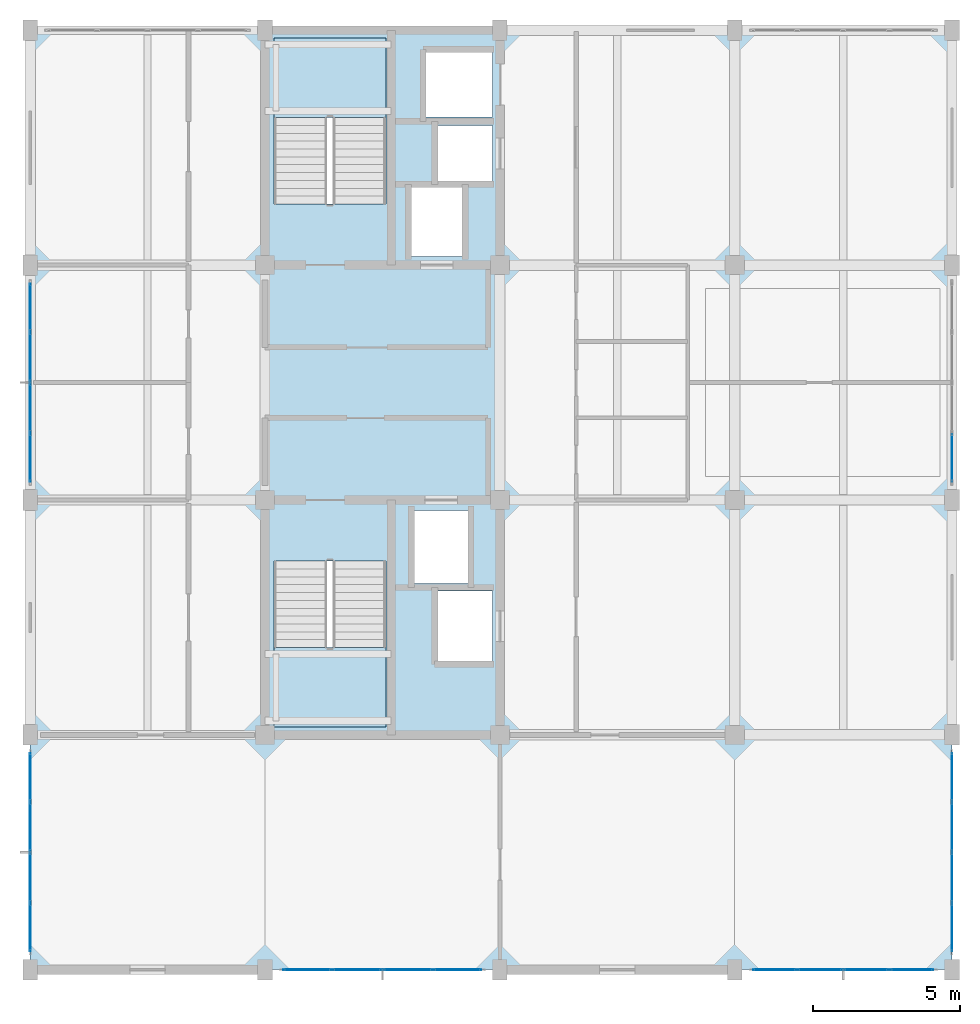
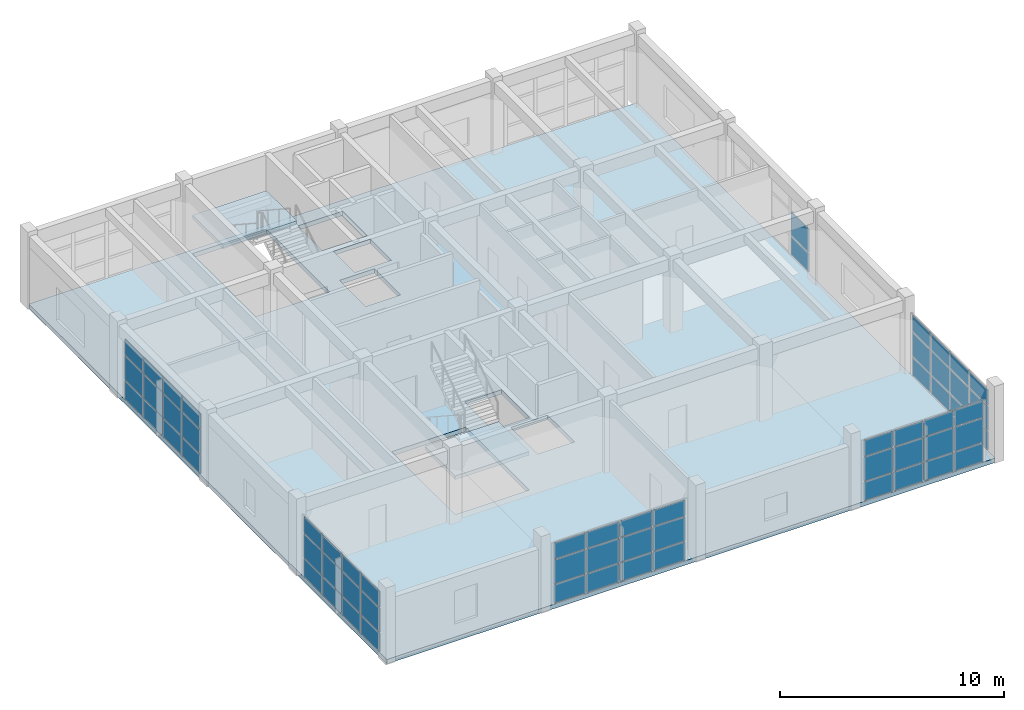
# One storey, part 13 of 18: 62 plates, 3 slabs, 8 elements without a shape of their own.
"""IFC4 building model written with IfcOpenShell, lengths in metres."""

import ifcopenshell
import ifcopenshell.guid

model = None  # the IFC model being written
_history = None  # IfcOwnerHistory: only IFC2X3 demands one
_inside = {}  # id of a spatial element -> (the spatial element, [elements in it])
_under = {}  # id of a project, library or spatial element -> (it, [spatial elements below it])
_declared = {}  # id of a project -> (the project, [libraries it declares])
_typed = {}  # id of a type object -> (the type object, [elements of that type])
_made_of = {}  # id of a material, layer set ... -> (it, [elements and type objects made of it])


def new_model(schema):
    """Start an empty IFC model of exactly this schema.

    Asked for "IFC4X3", IfcOpenShell would pick the latest addendum, in which some entities
    have other attributes; the version numbers below select the first issue.
    IFC2X3 requires an IfcOwnerHistory on every rooted entity: one is made here for all.
    """
    global model, _history
    if schema == "IFC4X3":
        model = ifcopenshell.file(schema_version=(4, 3, 0, 0))
    else:
        model = ifcopenshell.file(schema=schema)
    _inside.clear()
    _under.clear()
    _declared.clear()
    _typed.clear()
    _made_of.clear()
    _history = None
    if model.schema == "IFC2X3":
        org = make("IfcOrganization", Name="unknown")
        user = make(
            "IfcPersonAndOrganization",
            ThePerson=make("IfcPerson", FamilyName="unknown"),
            TheOrganization=org,
        )
        app = make(
            "IfcApplication",
            ApplicationDeveloper=org,
            Version="unknown",
            ApplicationFullName="unknown",
            ApplicationIdentifier="unknown",
        )
        _history = make(
            "IfcOwnerHistory",
            OwningUser=user,
            OwningApplication=app,
            ChangeAction="ADDED",
            CreationDate=0,
        )
    return model


def make(cls, **values):
    """One entity of the class cls with the attributes given. An attribute that is None is left unset."""
    return model.create_entity(
        cls, **{name: value for name, value in values.items() if value is not None}
    )


def rooted(cls, **values):
    """An entity with a GlobalId (a new one), such as an element, a storey or a relation."""
    return make(cls, GlobalId=ifcopenshell.guid.new(), OwnerHistory=_history, **values)


def si_unit(unit_type, name, prefix=None):
    """IfcSIUnit, for example si_unit("LENGTHUNIT", "METRE", prefix="MILLI")."""
    return make("IfcSIUnit", UnitType=unit_type, Prefix=prefix, Name=name)


def assignment(units):
    """IfcUnitAssignment: the units of a project."""
    return None if units is None else make("IfcUnitAssignment", Units=units)


def point(xyz):
    """IfcCartesianPoint."""
    return None if xyz is None else make("IfcCartesianPoint", Coordinates=xyz)


def direction(xyz):
    """IfcDirection."""
    return None if xyz is None else make("IfcDirection", DirectionRatios=xyz)


def frame(location, z_axis=None, x_axis=None):
    """IfcAxis2Placement3D, a coordinate frame: its origin and axes. An axis left out is left unset."""
    return make(
        "IfcAxis2Placement3D",
        Location=point(location),
        Axis=direction(z_axis),
        RefDirection=direction(x_axis),
    )


def frame_2d(location, x_axis=None):
    """IfcAxis2Placement2D, a coordinate frame in the plane: its origin and x axis."""
    return make(
        "IfcAxis2Placement2D", Location=point(location), RefDirection=direction(x_axis)
    )


def origin():
    """The frame at (0, 0, 0) with its axes left unset."""
    return frame((0.0, 0.0, 0.0))


def origin_2d():
    """The frame at (0, 0) in the plane with its x axis left unset."""
    return frame_2d((0.0, 0.0))


def place(relative_to, where):
    """IfcLocalPlacement: puts the frame where relative to a parent placement (None: the world)."""
    return make(
        "IfcLocalPlacement", PlacementRelTo=relative_to, RelativePlacement=where
    )


def context(
    kind, dimensions, precision=None, world=None, true_north=None, identifier=None
):
    """IfcGeometricRepresentationContext, for example the 3D "Model" context."""
    return make(
        "IfcGeometricRepresentationContext",
        ContextIdentifier=identifier,
        ContextType=kind,
        CoordinateSpaceDimension=dimensions,
        Precision=precision,
        WorldCoordinateSystem=world,
        TrueNorth=true_north,
    )


def subcontext(parent, identifier, kind, view, scale=None):
    """IfcGeometricRepresentationSubContext, for example "Body" below "Model"."""
    return make(
        "IfcGeometricRepresentationSubContext",
        ContextIdentifier=identifier,
        ContextType=kind,
        ParentContext=parent,
        TargetScale=scale,
        TargetView=view,
    )


def project(units=None, contexts=None):
    """IfcProject with its units and contexts."""
    return rooted(
        "IfcProject",
        Name="project",
        RepresentationContexts=contexts,
        UnitsInContext=assignment(units),
    )


def spatial(cls, under=None, at=None, **own):
    """A site, building, storey or space (cls), placed at a placement, below another one or the project."""
    s = rooted(cls, ObjectPlacement=at, **own)
    if under is not None:
        _under.setdefault(under.id(), (under, []))[1].append(s)
    return s


def polyline(points):
    """IfcPolyline through the points."""
    return make("IfcPolyline", Points=[point(p) for p in points])


def profile(cls, at=None, kind="AREA", **sizes):
    """A parametric profile (cls). Its sizes go by their IFC names, for example OverallWidth=200.0."""
    return make(cls, ProfileType=kind, Position=at, **sizes)


def rectangle(**sizes):
    """IfcRectangleProfileDef."""
    return profile("IfcRectangleProfileDef", **sizes)


def outline(outer, holes=None, kind="AREA"):
    """IfcArbitraryClosedProfileDef: a profile drawn as a closed curve; with holes, ...WithVoids."""
    if holes is None:
        return make("IfcArbitraryClosedProfileDef", ProfileType=kind, OuterCurve=outer)
    return make(
        "IfcArbitraryProfileDefWithVoids",
        ProfileType=kind,
        OuterCurve=outer,
        InnerCurves=holes,
    )


def extrude(swept, where, along, depth):
    """IfcExtrudedAreaSolid: the profile swept, set in the frame where, extruded along a direction by depth."""
    return make(
        "IfcExtrudedAreaSolid",
        SweptArea=swept,
        Position=where,
        ExtrudedDirection=direction(along),
        Depth=depth,
    )


def shape(context_of_items, identifier, shape_type, items):
    """IfcShapeRepresentation: the items that make up one representation, for example the "Body"."""
    return make(
        "IfcShapeRepresentation",
        ContextOfItems=context_of_items,
        RepresentationIdentifier=identifier,
        RepresentationType=shape_type,
        Items=items,
    )


def material(Name=None, Category=None):
    """IfcMaterial."""
    return make("IfcMaterial", Name=Name, Category=Category)


def layer(
    of_material, thickness, ventilated=None, Name=None, Category=None, Priority=None
):
    """IfcMaterialLayer: one layer of a wall or slab, of a material (None: an air gap)."""
    return make(
        "IfcMaterialLayer",
        Material=of_material,
        LayerThickness=thickness,
        IsVentilated=ventilated,
        Name=Name,
        Category=Category,
        Priority=Priority,
    )


def layer_set(layers, Name=None):
    """IfcMaterialLayerSet."""
    return make("IfcMaterialLayerSet", MaterialLayers=layers, LayerSetName=Name)


def made_of(thing, what):
    """Note that an element or type object is made of a material, layer set ...; save() writes the relation."""
    if what is not None:
        _made_of.setdefault(what.id(), (what, []))[1].append(thing)
    return thing


def type_object(cls, material=None, **own):
    """A type object (cls), such as IfcWallType, which elements share."""
    return made_of(rooted(cls, **own), material)


def element(
    cls,
    number,
    at=None,
    inside=None,
    cuts=None,
    type_object=None,
    material=None,
    context=None,
    identifier="Body",
    shape_type=None,
    held_by="IfcProductDefinitionShape",
    body=None,
    shapes=None,
    **own,
):
    """One element of the class cls, such as IfcWall. Its Tag is "e" and its number.

    at: its placement. inside: the storey or other place that contains it. cuts: it is an
    opening in that element (IfcRelVoidsElement). A single representation is given by context,
    identifier, shape_type and body (its items); several are given by shapes. held_by: the class
    of the entity that holds the representations. save() writes the other relations.
    """
    e = rooted(cls, Tag="e%d" % number, ObjectPlacement=at, **own)
    if body is not None:
        shapes = [shape(context, identifier, shape_type, body)]
    if shapes is not None:
        e.Representation = make(held_by, Representations=shapes)
    if inside is not None:
        _inside.setdefault(inside.id(), (inside, []))[1].append(e)
    if cuts is not None:
        rooted(
            "IfcRelVoidsElement", RelatingBuildingElement=cuts, RelatedOpeningElement=e
        )
    if type_object is not None:
        _typed.setdefault(type_object.id(), (type_object, []))[1].append(e)
    return made_of(e, material)


def aggregate(whole, parts):
    """IfcRelAggregates: a whole, such as a stair, and the parts it consists of."""
    return rooted("IfcRelAggregates", RelatingObject=whole, RelatedObjects=parts)


def save(model, path):
    """Write the relations noted so far, then the file.

    IfcRelAggregates (storeys below a building ...), IfcRelContainedInSpatialStructure (elements
    in a storey), IfcRelDefinesByType, IfcRelAssociatesMaterial and IfcRelDeclares: one each for
    every whole, place, type object, material and project.
    """
    for whole, parts in _under.values():
        aggregate(whole, parts)
    for where, things in _inside.values():
        rooted(
            "IfcRelContainedInSpatialStructure",
            RelatedElements=things,
            RelatingStructure=where,
        )
    for kind, things in _typed.values():
        rooted("IfcRelDefinesByType", RelatedObjects=things, RelatingType=kind)
    for what, things in _made_of.values():
        rooted("IfcRelAssociatesMaterial", RelatedObjects=things, RelatingMaterial=what)
    for by, libraries in _declared.values():
        rooted("IfcRelDeclares", RelatingContext=by, RelatedDefinitions=libraries)
    model.write(path)


model = new_model("IFC4")

# Units and contexts
model_context = context("Model", 3, precision=1e-05, world=origin(), true_north=direction((0.0, 1.0)))
body_context = subcontext(model_context, "Body", "Model", "MODEL_VIEW")
ifc_project = project(units=[si_unit("LENGTHUNIT", "METRE"), si_unit("AREAUNIT", "SQUARE_METRE"), si_unit("VOLUMEUNIT", "CUBIC_METRE"), si_unit("PLANEANGLEUNIT", "RADIAN"), si_unit("MASSUNIT", "GRAM", prefix="KILO")], contexts=[model_context])

# Site, building, storey
site_placement = place(None, origin())
site = spatial("IfcSite", under=ifc_project, at=site_placement, CompositionType="ELEMENT")
building_placement = place(site_placement, origin())
building = spatial("IfcBuilding", under=site, at=building_placement, Name="Canggui Botanical Conservatory", CompositionType="ELEMENT")
storey_placement = place(building_placement, frame((0.0, 0.0, 52.800048828125)))
storey = spatial("IfcBuildingStorey", under=building, at=storey_placement, Name="L13", CompositionType="ELEMENT", Elevation=52.800048828125)

# Curtain wall, plates
ifc_material_1 = material(Name="Thermally Broken Aluminium", Category="aluminium")
ifc_layer_1 = layer(ifc_material_1, 0.179931640625, Name="Thermally Broken Aluminium", Category="aluminium")
ifc_layer_set_1 = layer_set([ifc_layer_1], Name="Thermally Broken Aluminium")
curtain_wall_type = type_object("IfcCurtainWallType", Name="CW-UNIT-A", PredefinedType="USERDEFINED", material=ifc_layer_set_1)
curtain_wall_1_placement = place(storey_placement, origin())
curtain_wall_1 = element("IfcCurtainWall", 1, at=curtain_wall_1_placement, inside=storey, type_object=curtain_wall_type, Name="Facade Curtain Wall CW-TWR-L13-01", ObjectType="UNITISED CURTAIN WALL", PredefinedType="USERDEFINED")
ifc_material_2 = material(Name="Low-E Insulated Glass", Category="glass")
ifc_layer_2 = layer(ifc_material_2, 0.02587890625, Name="Low-E Insulated Glass", Category="glass")
ifc_layer_set_2 = layer_set([ifc_layer_2], Name="Low-E Insulated Glass")
plate_type = type_object("IfcPlateType", Name="CWP-01", PredefinedType="CURTAIN_PANEL", material=ifc_layer_set_2)
plate_1_placement = place(storey_placement, frame((176.03759765625, 34.0, 0.06494140625), z_axis=(0.0, 0.0, 1.0), x_axis=(-1.0, 0.0, 0.0)))
plate_1 = element("IfcPlate", 2, at=plate_1_placement, type_object=plate_type, Name="CW-01 panel 1.1", PredefinedType="CURTAIN_PANEL", context=body_context, shape_type="SweptSolid", body=[
    extrude(rectangle(XDim=1.465087890625, YDim=0.02587890625, at=origin_2d()), origin(), (0.0, 0.0, 1.0), 0.990478515625),
])
plate_2_placement = place(storey_placement, frame((176.03759765625, 34.0, 1.12060546875), z_axis=(0.0, 0.0, 1.0), x_axis=(-1.0, 0.0, 0.0)))
plate_2 = element("IfcPlate", 3, at=plate_2_placement, type_object=plate_type, Name="CW-01 panel 1.2", PredefinedType="CURTAIN_PANEL", context=body_context, shape_type="SweptSolid", body=[
    extrude(rectangle(XDim=1.465087890625, YDim=0.02587890625, at=origin_2d()), origin(), (0.0, 0.0, 1.0), 1.294921875),
])
plate_3_placement = place(storey_placement, frame((176.03759765625, 34.0, 2.48046875), z_axis=(0.0, 0.0, 1.0), x_axis=(-1.0, 0.0, 0.0)))
plate_3 = element("IfcPlate", 4, at=plate_3_placement, type_object=plate_type, Name="CW-01 panel 1.3", PredefinedType="CURTAIN_PANEL", context=body_context, shape_type="SweptSolid", body=[
    extrude(rectangle(XDim=1.465087890625, YDim=0.02587890625, at=origin_2d()), origin(), (0.0, 0.0, 1.0), 0.8544921875),
])
plate_4_placement = place(storey_placement, frame((174.485107421875, 34.0, 0.06494140625), z_axis=(0.0, 0.0, 1.0), x_axis=(-1.0, 0.0, 0.0)))
plate_4 = element("IfcPlate", 5, at=plate_4_placement, type_object=plate_type, Name="CW-01 panel 2.1", PredefinedType="CURTAIN_PANEL", context=body_context, shape_type="SweptSolid", body=[
    extrude(rectangle(XDim=1.5, YDim=0.02587890625, at=origin_2d()), origin(), (0.0, 0.0, 1.0), 0.990478515625),
])
plate_5_placement = place(storey_placement, frame((174.485107421875, 34.0, 1.12060546875), z_axis=(0.0, 0.0, 1.0), x_axis=(-1.0, 0.0, 0.0)))
plate_5 = element("IfcPlate", 6, at=plate_5_placement, type_object=plate_type, Name="CW-01 panel 2.2", PredefinedType="CURTAIN_PANEL", context=body_context, shape_type="SweptSolid", body=[
    extrude(rectangle(XDim=1.5, YDim=0.02587890625, at=origin_2d()), origin(), (0.0, 0.0, 1.0), 1.294921875),
])
plate_6_placement = place(storey_placement, frame((174.485107421875, 34.0, 2.48046875), z_axis=(0.0, 0.0, 1.0), x_axis=(-1.0, 0.0, 0.0)))
plate_6 = element("IfcPlate", 7, at=plate_6_placement, type_object=plate_type, Name="CW-01 panel 2.3", PredefinedType="CURTAIN_PANEL", context=body_context, shape_type="SweptSolid", body=[
    extrude(rectangle(XDim=1.5, YDim=0.02587890625, at=origin_2d()), origin(), (0.0, 0.0, 1.0), 0.8544921875),
])
plate_7_placement = place(storey_placement, frame((172.9150390625, 34.0, 0.06494140625), z_axis=(0.0, 0.0, 1.0), x_axis=(-1.0, 0.0, 0.0)))
plate_7 = element("IfcPlate", 8, at=plate_7_placement, type_object=plate_type, Name="CW-01 panel 3.1", PredefinedType="CURTAIN_PANEL", context=body_context, shape_type="SweptSolid", body=[
    extrude(rectangle(XDim=1.5, YDim=0.02587890625, at=origin_2d()), origin(), (0.0, 0.0, 1.0), 0.990478515625),
])
plate_8_placement = place(storey_placement, frame((172.9150390625, 34.0, 1.12060546875), z_axis=(0.0, 0.0, 1.0), x_axis=(-1.0, 0.0, 0.0)))
plate_8 = element("IfcPlate", 9, at=plate_8_placement, type_object=plate_type, Name="CW-01 panel 3.2", PredefinedType="CURTAIN_PANEL", context=body_context, shape_type="SweptSolid", body=[
    extrude(rectangle(XDim=1.5, YDim=0.02587890625, at=origin_2d()), origin(), (0.0, 0.0, 1.0), 1.294921875),
])
plate_9_placement = place(storey_placement, frame((172.9150390625, 34.0, 2.48046875), z_axis=(0.0, 0.0, 1.0), x_axis=(-1.0, 0.0, 0.0)))
plate_9 = element("IfcPlate", 10, at=plate_9_placement, type_object=plate_type, Name="CW-01 panel 3.3", PredefinedType="CURTAIN_PANEL", context=body_context, shape_type="SweptSolid", body=[
    extrude(rectangle(XDim=1.5, YDim=0.02587890625, at=origin_2d()), origin(), (0.0, 0.0, 1.0), 0.8544921875),
])
plate_10_placement = place(storey_placement, frame((171.362548828125, 34.0, 0.06494140625), z_axis=(0.0, 0.0, 1.0), x_axis=(-1.0, 0.0, 0.0)))
plate_10 = element("IfcPlate", 11, at=plate_10_placement, type_object=plate_type, Name="CW-01 panel 4.1", PredefinedType="CURTAIN_PANEL", context=body_context, shape_type="SweptSolid", body=[
    extrude(rectangle(XDim=1.465087890625, YDim=0.02587890625, at=origin_2d()), origin(), (0.0, 0.0, 1.0), 0.990478515625),
])
plate_11_placement = place(storey_placement, frame((171.362548828125, 34.0, 1.12060546875), z_axis=(0.0, 0.0, 1.0), x_axis=(-1.0, 0.0, 0.0)))
plate_11 = element("IfcPlate", 12, at=plate_11_placement, type_object=plate_type, Name="CW-01 panel 4.2", PredefinedType="CURTAIN_PANEL", context=body_context, shape_type="SweptSolid", body=[
    extrude(rectangle(XDim=1.465087890625, YDim=0.02587890625, at=origin_2d()), origin(), (0.0, 0.0, 1.0), 1.294921875),
])
plate_12_placement = place(storey_placement, frame((171.362548828125, 34.0, 2.48046875), z_axis=(0.0, 0.0, 1.0), x_axis=(-1.0, 0.0, 0.0)))
plate_12 = element("IfcPlate", 13, at=plate_12_placement, type_object=plate_type, Name="CW-01 panel 4.3", PredefinedType="CURTAIN_PANEL", context=body_context, shape_type="SweptSolid", body=[
    extrude(rectangle(XDim=1.465087890625, YDim=0.02587890625, at=origin_2d()), origin(), (0.0, 0.0, 1.0), 0.8544921875),
])
aggregate(curtain_wall_1, [plate_1, plate_2, plate_3, plate_4, plate_5, plate_6, plate_7, plate_8, plate_9, plate_10, plate_11, plate_12])

curtain_wall_2_placement = place(storey_placement, origin())
curtain_wall_2 = element("IfcCurtainWall", 14, at=curtain_wall_2_placement, inside=storey, type_object=curtain_wall_type, Name="Facade Curtain Wall CW-TWR-L13-03", ObjectType="UNITISED CURTAIN WALL", PredefinedType="USERDEFINED")
plate_13_placement = place(storey_placement, frame((160.5625, 34.0, 0.06494140625), z_axis=(0.0, 0.0, 1.0), x_axis=(-1.0, 0.0, 0.0)))
plate_13 = element("IfcPlate", 15, at=plate_13_placement, type_object=plate_type, Name="CW-01 panel 1.1", PredefinedType="CURTAIN_PANEL", context=body_context, shape_type="SweptSolid", body=[
    extrude(rectangle(XDim=1.614990234375, YDim=0.02587890625, at=origin_2d()), origin(), (0.0, 0.0, 1.0), 0.990478515625),
])
plate_14_placement = place(storey_placement, frame((160.5625, 34.0, 1.12060546875), z_axis=(0.0, 0.0, 1.0), x_axis=(-1.0, 0.0, 0.0)))
plate_14 = element("IfcPlate", 16, at=plate_14_placement, type_object=plate_type, Name="CW-01 panel 1.2", PredefinedType="CURTAIN_PANEL", context=body_context, shape_type="SweptSolid", body=[
    extrude(rectangle(XDim=1.614990234375, YDim=0.02587890625, at=origin_2d()), origin(), (0.0, 0.0, 1.0), 1.294921875),
])
plate_15_placement = place(storey_placement, frame((160.5625, 34.0, 2.48046875), z_axis=(0.0, 0.0, 1.0), x_axis=(-1.0, 0.0, 0.0)))
plate_15 = element("IfcPlate", 17, at=plate_15_placement, type_object=plate_type, Name="CW-01 panel 1.3", PredefinedType="CURTAIN_PANEL", context=body_context, shape_type="SweptSolid", body=[
    extrude(rectangle(XDim=1.614990234375, YDim=0.02587890625, at=origin_2d()), origin(), (0.0, 0.0, 1.0), 0.8544921875),
])
plate_16_placement = place(storey_placement, frame((158.860107421875, 34.0, 0.06494140625), z_axis=(0.0, 0.0, 1.0), x_axis=(-1.0, 0.0, 0.0)))
plate_16 = element("IfcPlate", 18, at=plate_16_placement, type_object=plate_type, Name="CW-01 panel 2.1", PredefinedType="CURTAIN_PANEL", context=body_context, shape_type="SweptSolid", body=[
    extrude(rectangle(XDim=1.64990234375, YDim=0.02587890625, at=origin_2d()), origin(), (0.0, 0.0, 1.0), 0.990478515625),
])
plate_17_placement = place(storey_placement, frame((158.860107421875, 34.0, 1.12060546875), z_axis=(0.0, 0.0, 1.0), x_axis=(-1.0, 0.0, 0.0)))
plate_17 = element("IfcPlate", 19, at=plate_17_placement, type_object=plate_type, Name="CW-01 panel 2.2", PredefinedType="CURTAIN_PANEL", context=body_context, shape_type="SweptSolid", body=[
    extrude(rectangle(XDim=1.64990234375, YDim=0.02587890625, at=origin_2d()), origin(), (0.0, 0.0, 1.0), 1.294921875),
])
plate_18_placement = place(storey_placement, frame((158.860107421875, 34.0, 2.48046875), z_axis=(0.0, 0.0, 1.0), x_axis=(-1.0, 0.0, 0.0)))
plate_18 = element("IfcPlate", 20, at=plate_18_placement, type_object=plate_type, Name="CW-01 panel 2.3", PredefinedType="CURTAIN_PANEL", context=body_context, shape_type="SweptSolid", body=[
    extrude(rectangle(XDim=1.64990234375, YDim=0.02587890625, at=origin_2d()), origin(), (0.0, 0.0, 1.0), 0.8544921875),
])
plate_19_placement = place(storey_placement, frame((157.139892578125, 34.0, 0.06494140625), z_axis=(0.0, 0.0, 1.0), x_axis=(-1.0, 0.0, 0.0)))
plate_19 = element("IfcPlate", 21, at=plate_19_placement, type_object=plate_type, Name="CW-01 panel 3.1", PredefinedType="CURTAIN_PANEL", context=body_context, shape_type="SweptSolid", body=[
    extrude(rectangle(XDim=1.64990234375, YDim=0.02587890625, at=origin_2d()), origin(), (0.0, 0.0, 1.0), 0.990478515625),
])
plate_20_placement = place(storey_placement, frame((157.139892578125, 34.0, 1.12060546875), z_axis=(0.0, 0.0, 1.0), x_axis=(-1.0, 0.0, 0.0)))
plate_20 = element("IfcPlate", 22, at=plate_20_placement, type_object=plate_type, Name="CW-01 panel 3.2", PredefinedType="CURTAIN_PANEL", context=body_context, shape_type="SweptSolid", body=[
    extrude(rectangle(XDim=1.64990234375, YDim=0.02587890625, at=origin_2d()), origin(), (0.0, 0.0, 1.0), 1.294921875),
])
plate_21_placement = place(storey_placement, frame((157.139892578125, 34.0, 2.48046875), z_axis=(0.0, 0.0, 1.0), x_axis=(-1.0, 0.0, 0.0)))
plate_21 = element("IfcPlate", 23, at=plate_21_placement, type_object=plate_type, Name="CW-01 panel 3.3", PredefinedType="CURTAIN_PANEL", context=body_context, shape_type="SweptSolid", body=[
    extrude(rectangle(XDim=1.64990234375, YDim=0.02587890625, at=origin_2d()), origin(), (0.0, 0.0, 1.0), 0.8544921875),
])
plate_22_placement = place(storey_placement, frame((155.4375, 34.0, 0.06494140625), z_axis=(0.0, 0.0, 1.0), x_axis=(-1.0, 0.0, 0.0)))
plate_22 = element("IfcPlate", 24, at=plate_22_placement, type_object=plate_type, Name="CW-01 panel 4.1", PredefinedType="CURTAIN_PANEL", context=body_context, shape_type="SweptSolid", body=[
    extrude(rectangle(XDim=1.614990234375, YDim=0.02587890625, at=origin_2d()), origin(), (0.0, 0.0, 1.0), 0.990478515625),
])
plate_23_placement = place(storey_placement, frame((155.4375, 34.0, 1.12060546875), z_axis=(0.0, 0.0, 1.0), x_axis=(-1.0, 0.0, 0.0)))
plate_23 = element("IfcPlate", 25, at=plate_23_placement, type_object=plate_type, Name="CW-01 panel 4.2", PredefinedType="CURTAIN_PANEL", context=body_context, shape_type="SweptSolid", body=[
    extrude(rectangle(XDim=1.614990234375, YDim=0.02587890625, at=origin_2d()), origin(), (0.0, 0.0, 1.0), 1.294921875),
])
plate_24_placement = place(storey_placement, frame((155.4375, 34.0, 2.48046875), z_axis=(0.0, 0.0, 1.0), x_axis=(-1.0, 0.0, 0.0)))
plate_24 = element("IfcPlate", 26, at=plate_24_placement, type_object=plate_type, Name="CW-01 panel 4.3", PredefinedType="CURTAIN_PANEL", context=body_context, shape_type="SweptSolid", body=[
    extrude(rectangle(XDim=1.614990234375, YDim=0.02587890625, at=origin_2d()), origin(), (0.0, 0.0, 1.0), 0.8544921875),
])
aggregate(curtain_wall_2, [plate_13, plate_14, plate_15, plate_16, plate_17, plate_18, plate_19, plate_20, plate_21, plate_22, plate_23, plate_24])

curtain_wall_3_placement = place(storey_placement, origin())
curtain_wall_3 = element("IfcCurtainWall", 27, at=curtain_wall_3_placement, inside=storey, type_object=curtain_wall_type, Name="Facade Curtain Wall CW-TWR-L13-05", ObjectType="UNITISED CURTAIN WALL", PredefinedType="USERDEFINED")
plate_25_placement = place(storey_placement, frame((146.0, 35.4375, 0.06494140625), z_axis=(0.0, 0.0, 1.0), x_axis=(0.0, 1.0, 0.0)))
plate_25 = element("IfcPlate", 28, at=plate_25_placement, type_object=plate_type, Name="CW-01 panel 1.1", PredefinedType="CURTAIN_PANEL", context=body_context, shape_type="SweptSolid", body=[
    extrude(rectangle(XDim=1.614990234375, YDim=0.02587890625, at=origin_2d()), origin(), (0.0, 0.0, 1.0), 0.990478515625),
])
plate_26_placement = place(storey_placement, frame((146.0, 35.4375, 1.12060546875), z_axis=(0.0, 0.0, 1.0), x_axis=(0.0, 1.0, 0.0)))
plate_26 = element("IfcPlate", 29, at=plate_26_placement, type_object=plate_type, Name="CW-01 panel 1.2", PredefinedType="CURTAIN_PANEL", context=body_context, shape_type="SweptSolid", body=[
    extrude(rectangle(XDim=1.614990234375, YDim=0.02587890625, at=origin_2d()), origin(), (0.0, 0.0, 1.0), 1.294921875),
])
plate_27_placement = place(storey_placement, frame((146.0, 35.4375, 2.48046875), z_axis=(0.0, 0.0, 1.0), x_axis=(0.0, 1.0, 0.0)))
plate_27 = element("IfcPlate", 30, at=plate_27_placement, type_object=plate_type, Name="CW-01 panel 1.3", PredefinedType="CURTAIN_PANEL", context=body_context, shape_type="SweptSolid", body=[
    extrude(rectangle(XDim=1.614990234375, YDim=0.02587890625, at=origin_2d()), origin(), (0.0, 0.0, 1.0), 0.8544921875),
])
plate_28_placement = place(storey_placement, frame((146.0, 37.139892578125, 0.06494140625), z_axis=(0.0, 0.0, 1.0), x_axis=(0.0, 1.0, 0.0)))
plate_28 = element("IfcPlate", 31, at=plate_28_placement, type_object=plate_type, Name="CW-01 panel 2.1", PredefinedType="CURTAIN_PANEL", context=body_context, shape_type="SweptSolid", body=[
    extrude(rectangle(XDim=1.64990234375, YDim=0.02587890625, at=origin_2d()), origin(), (0.0, 0.0, 1.0), 0.990478515625),
])
plate_29_placement = place(storey_placement, frame((146.0, 37.139892578125, 1.12060546875), z_axis=(0.0, 0.0, 1.0), x_axis=(0.0, 1.0, 0.0)))
plate_29 = element("IfcPlate", 32, at=plate_29_placement, type_object=plate_type, Name="CW-01 panel 2.2", PredefinedType="CURTAIN_PANEL", context=body_context, shape_type="SweptSolid", body=[
    extrude(rectangle(XDim=1.64990234375, YDim=0.02587890625, at=origin_2d()), origin(), (0.0, 0.0, 1.0), 1.294921875),
])
plate_30_placement = place(storey_placement, frame((146.0, 37.139892578125, 2.48046875), z_axis=(0.0, 0.0, 1.0), x_axis=(0.0, 1.0, 0.0)))
plate_30 = element("IfcPlate", 33, at=plate_30_placement, type_object=plate_type, Name="CW-01 panel 2.3", PredefinedType="CURTAIN_PANEL", context=body_context, shape_type="SweptSolid", body=[
    extrude(rectangle(XDim=1.64990234375, YDim=0.02587890625, at=origin_2d()), origin(), (0.0, 0.0, 1.0), 0.8544921875),
])
plate_31_placement = place(storey_placement, frame((146.0, 38.860107421875, 0.06494140625), z_axis=(0.0, 0.0, 1.0), x_axis=(0.0, 1.0, 0.0)))
plate_31 = element("IfcPlate", 34, at=plate_31_placement, type_object=plate_type, Name="CW-01 panel 3.1", PredefinedType="CURTAIN_PANEL", context=body_context, shape_type="SweptSolid", body=[
    extrude(rectangle(XDim=1.64990234375, YDim=0.02587890625, at=origin_2d()), origin(), (0.0, 0.0, 1.0), 0.990478515625),
])
plate_32_placement = place(storey_placement, frame((146.0, 38.860107421875, 1.12060546875), z_axis=(0.0, 0.0, 1.0), x_axis=(0.0, 1.0, 0.0)))
plate_32 = element("IfcPlate", 35, at=plate_32_placement, type_object=plate_type, Name="CW-01 panel 3.2", PredefinedType="CURTAIN_PANEL", context=body_context, shape_type="SweptSolid", body=[
    extrude(rectangle(XDim=1.64990234375, YDim=0.02587890625, at=origin_2d()), origin(), (0.0, 0.0, 1.0), 1.294921875),
])
plate_33_placement = place(storey_placement, frame((146.0, 38.860107421875, 2.48046875), z_axis=(0.0, 0.0, 1.0), x_axis=(0.0, 1.0, 0.0)))
plate_33 = element("IfcPlate", 36, at=plate_33_placement, type_object=plate_type, Name="CW-01 panel 3.3", PredefinedType="CURTAIN_PANEL", context=body_context, shape_type="SweptSolid", body=[
    extrude(rectangle(XDim=1.64990234375, YDim=0.02587890625, at=origin_2d()), origin(), (0.0, 0.0, 1.0), 0.8544921875),
])
plate_34_placement = place(storey_placement, frame((146.0, 40.5625, 0.06494140625), z_axis=(0.0, 0.0, 1.0), x_axis=(0.0, 1.0, 0.0)))
plate_34 = element("IfcPlate", 37, at=plate_34_placement, type_object=plate_type, Name="CW-01 panel 4.1", PredefinedType="CURTAIN_PANEL", context=body_context, shape_type="SweptSolid", body=[
    extrude(rectangle(XDim=1.614990234375, YDim=0.02587890625, at=origin_2d()), origin(), (0.0, 0.0, 1.0), 0.990478515625),
])
plate_35_placement = place(storey_placement, frame((146.0, 40.5625, 1.12060546875), z_axis=(0.0, 0.0, 1.0), x_axis=(0.0, 1.0, 0.0)))
plate_35 = element("IfcPlate", 38, at=plate_35_placement, type_object=plate_type, Name="CW-01 panel 4.2", PredefinedType="CURTAIN_PANEL", context=body_context, shape_type="SweptSolid", body=[
    extrude(rectangle(XDim=1.614990234375, YDim=0.02587890625, at=origin_2d()), origin(), (0.0, 0.0, 1.0), 1.294921875),
])
plate_36_placement = place(storey_placement, frame((146.0, 40.5625, 2.48046875), z_axis=(0.0, 0.0, 1.0), x_axis=(0.0, 1.0, 0.0)))
plate_36 = element("IfcPlate", 39, at=plate_36_placement, type_object=plate_type, Name="CW-01 panel 4.3", PredefinedType="CURTAIN_PANEL", context=body_context, shape_type="SweptSolid", body=[
    extrude(rectangle(XDim=1.614990234375, YDim=0.02587890625, at=origin_2d()), origin(), (0.0, 0.0, 1.0), 0.8544921875),
])
aggregate(curtain_wall_3, [plate_25, plate_26, plate_27, plate_28, plate_29, plate_30, plate_31, plate_32, plate_33, plate_34, plate_35, plate_36])

curtain_wall_4_placement = place(storey_placement, origin())
curtain_wall_4 = element("IfcCurtainWall", 40, at=curtain_wall_4_placement, inside=storey, type_object=curtain_wall_type, Name="Facade Curtain Wall CW-TWR-L13-07", ObjectType="UNITISED CURTAIN WALL", PredefinedType="USERDEFINED")
plate_37_placement = place(storey_placement, frame((146.0, 51.4375, 0.06494140625), z_axis=(0.0, 0.0, 1.0), x_axis=(0.0, 1.0, 0.0)))
plate_37 = element("IfcPlate", 41, at=plate_37_placement, type_object=plate_type, Name="CW-01 panel 1.1", PredefinedType="CURTAIN_PANEL", context=body_context, shape_type="SweptSolid", body=[
    extrude(rectangle(XDim=1.614990234375, YDim=0.02587890625, at=origin_2d()), origin(), (0.0, 0.0, 1.0), 0.990478515625),
])
plate_38_placement = place(storey_placement, frame((146.0, 51.4375, 1.12060546875), z_axis=(0.0, 0.0, 1.0), x_axis=(0.0, 1.0, 0.0)))
plate_38 = element("IfcPlate", 42, at=plate_38_placement, type_object=plate_type, Name="CW-01 panel 1.2", PredefinedType="CURTAIN_PANEL", context=body_context, shape_type="SweptSolid", body=[
    extrude(rectangle(XDim=1.614990234375, YDim=0.02587890625, at=origin_2d()), origin(), (0.0, 0.0, 1.0), 1.294921875),
])
plate_39_placement = place(storey_placement, frame((146.0, 51.4375, 2.48046875), z_axis=(0.0, 0.0, 1.0), x_axis=(0.0, 1.0, 0.0)))
plate_39 = element("IfcPlate", 43, at=plate_39_placement, type_object=plate_type, Name="CW-01 panel 1.3", PredefinedType="CURTAIN_PANEL", context=body_context, shape_type="SweptSolid", body=[
    extrude(rectangle(XDim=1.614990234375, YDim=0.02587890625, at=origin_2d()), origin(), (0.0, 0.0, 1.0), 0.8544921875),
])
plate_40_placement = place(storey_placement, frame((146.0, 53.139892578125, 0.06494140625), z_axis=(0.0, 0.0, 1.0), x_axis=(0.0, 1.0, 0.0)))
plate_40 = element("IfcPlate", 44, at=plate_40_placement, type_object=plate_type, Name="CW-01 panel 2.1", PredefinedType="CURTAIN_PANEL", context=body_context, shape_type="SweptSolid", body=[
    extrude(rectangle(XDim=1.64990234375, YDim=0.02587890625, at=origin_2d()), origin(), (0.0, 0.0, 1.0), 0.990478515625),
])
plate_41_placement = place(storey_placement, frame((146.0, 53.139892578125, 1.12060546875), z_axis=(0.0, 0.0, 1.0), x_axis=(0.0, 1.0, 0.0)))
plate_41 = element("IfcPlate", 45, at=plate_41_placement, type_object=plate_type, Name="CW-01 panel 2.2", PredefinedType="CURTAIN_PANEL", context=body_context, shape_type="SweptSolid", body=[
    extrude(rectangle(XDim=1.64990234375, YDim=0.02587890625, at=origin_2d()), origin(), (0.0, 0.0, 1.0), 1.294921875),
])
plate_42_placement = place(storey_placement, frame((146.0, 53.139892578125, 2.48046875), z_axis=(0.0, 0.0, 1.0), x_axis=(0.0, 1.0, 0.0)))
plate_42 = element("IfcPlate", 46, at=plate_42_placement, type_object=plate_type, Name="CW-01 panel 2.3", PredefinedType="CURTAIN_PANEL", context=body_context, shape_type="SweptSolid", body=[
    extrude(rectangle(XDim=1.64990234375, YDim=0.02587890625, at=origin_2d()), origin(), (0.0, 0.0, 1.0), 0.8544921875),
])
plate_43_placement = place(storey_placement, frame((146.0, 54.860107421875, 0.06494140625), z_axis=(0.0, 0.0, 1.0), x_axis=(0.0, 1.0, 0.0)))
plate_43 = element("IfcPlate", 47, at=plate_43_placement, type_object=plate_type, Name="CW-01 panel 3.1", PredefinedType="CURTAIN_PANEL", context=body_context, shape_type="SweptSolid", body=[
    extrude(rectangle(XDim=1.64990234375, YDim=0.02587890625, at=origin_2d()), origin(), (0.0, 0.0, 1.0), 0.990478515625),
])
plate_44_placement = place(storey_placement, frame((146.0, 54.860107421875, 1.12060546875), z_axis=(0.0, 0.0, 1.0), x_axis=(0.0, 1.0, 0.0)))
plate_44 = element("IfcPlate", 48, at=plate_44_placement, type_object=plate_type, Name="CW-01 panel 3.2", PredefinedType="CURTAIN_PANEL", context=body_context, shape_type="SweptSolid", body=[
    extrude(rectangle(XDim=1.64990234375, YDim=0.02587890625, at=origin_2d()), origin(), (0.0, 0.0, 1.0), 1.294921875),
])
plate_45_placement = place(storey_placement, frame((146.0, 54.860107421875, 2.48046875), z_axis=(0.0, 0.0, 1.0), x_axis=(0.0, 1.0, 0.0)))
plate_45 = element("IfcPlate", 49, at=plate_45_placement, type_object=plate_type, Name="CW-01 panel 3.3", PredefinedType="CURTAIN_PANEL", context=body_context, shape_type="SweptSolid", body=[
    extrude(rectangle(XDim=1.64990234375, YDim=0.02587890625, at=origin_2d()), origin(), (0.0, 0.0, 1.0), 0.8544921875),
])
plate_46_placement = place(storey_placement, frame((146.0, 56.5625, 0.06494140625), z_axis=(0.0, 0.0, 1.0), x_axis=(0.0, 1.0, 0.0)))
plate_46 = element("IfcPlate", 50, at=plate_46_placement, type_object=plate_type, Name="CW-01 panel 4.1", PredefinedType="CURTAIN_PANEL", context=body_context, shape_type="SweptSolid", body=[
    extrude(rectangle(XDim=1.614990234375, YDim=0.02587890625, at=origin_2d()), origin(), (0.0, 0.0, 1.0), 0.990478515625),
])
plate_47_placement = place(storey_placement, frame((146.0, 56.5625, 1.12060546875), z_axis=(0.0, 0.0, 1.0), x_axis=(0.0, 1.0, 0.0)))
plate_47 = element("IfcPlate", 51, at=plate_47_placement, type_object=plate_type, Name="CW-01 panel 4.2", PredefinedType="CURTAIN_PANEL", context=body_context, shape_type="SweptSolid", body=[
    extrude(rectangle(XDim=1.614990234375, YDim=0.02587890625, at=origin_2d()), origin(), (0.0, 0.0, 1.0), 1.294921875),
])
plate_48_placement = place(storey_placement, frame((146.0, 56.5625, 2.48046875), z_axis=(0.0, 0.0, 1.0), x_axis=(0.0, 1.0, 0.0)))
plate_48 = element("IfcPlate", 52, at=plate_48_placement, type_object=plate_type, Name="CW-01 panel 4.3", PredefinedType="CURTAIN_PANEL", context=body_context, shape_type="SweptSolid", body=[
    extrude(rectangle(XDim=1.614990234375, YDim=0.02587890625, at=origin_2d()), origin(), (0.0, 0.0, 1.0), 0.8544921875),
])
aggregate(curtain_wall_4, [plate_37, plate_38, plate_39, plate_40, plate_41, plate_42, plate_43, plate_44, plate_45, plate_46, plate_47, plate_48])

curtain_wall_5_placement = place(storey_placement, origin())
curtain_wall_5 = element("IfcCurtainWall", 53, at=curtain_wall_5_placement, inside=storey, type_object=curtain_wall_type, Name="Facade Curtain Wall CW-TWR-L13-13", ObjectType="UNITISED CURTAIN WALL", PredefinedType="USERDEFINED")
plate_49_placement = place(storey_placement, frame((177.39990234375, 51.4375, 0.06494140625), z_axis=(0.0, 0.0, 1.0), x_axis=(0.0, -1.0, 0.0)))
plate_49 = element("IfcPlate", 54, at=plate_49_placement, type_object=plate_type, Name="CW-01 panel 4.1", PredefinedType="CURTAIN_PANEL", context=body_context, shape_type="SweptSolid", body=[
    extrude(rectangle(XDim=1.614990234375, YDim=0.02587890625, at=origin_2d()), origin(), (0.0, 0.0, 1.0), 0.990478515625),
])
plate_50_placement = place(storey_placement, frame((177.39990234375, 51.4375, 1.12060546875), z_axis=(0.0, 0.0, 1.0), x_axis=(0.0, -1.0, 0.0)))
plate_50 = element("IfcPlate", 55, at=plate_50_placement, type_object=plate_type, Name="CW-01 panel 4.2", PredefinedType="CURTAIN_PANEL", context=body_context, shape_type="SweptSolid", body=[
    extrude(rectangle(XDim=1.614990234375, YDim=0.02587890625, at=origin_2d()), origin(), (0.0, 0.0, 1.0), 1.294921875),
])
aggregate(curtain_wall_5, [plate_49, plate_50])

curtain_wall_6_placement = place(storey_placement, origin())
curtain_wall_6 = element("IfcCurtainWall", 56, at=curtain_wall_6_placement, inside=storey, type_object=curtain_wall_type, Name="Facade Curtain Wall CW-TWR-L13-15", ObjectType="UNITISED CURTAIN WALL", PredefinedType="USERDEFINED")
plate_51_placement = place(storey_placement, frame((177.39990234375, 40.5625, 0.06494140625), z_axis=(0.0, 0.0, 1.0), x_axis=(0.0, -1.0, 0.0)))
plate_51 = element("IfcPlate", 57, at=plate_51_placement, type_object=plate_type, Name="CW-01 panel 1.1", PredefinedType="CURTAIN_PANEL", context=body_context, shape_type="SweptSolid", body=[
    extrude(rectangle(XDim=1.614990234375, YDim=0.02587890625, at=origin_2d()), origin(), (0.0, 0.0, 1.0), 0.990478515625),
])
plate_52_placement = place(storey_placement, frame((177.39990234375, 40.5625, 1.12060546875), z_axis=(0.0, 0.0, 1.0), x_axis=(0.0, -1.0, 0.0)))
plate_52 = element("IfcPlate", 58, at=plate_52_placement, type_object=plate_type, Name="CW-01 panel 1.2", PredefinedType="CURTAIN_PANEL", context=body_context, shape_type="SweptSolid", body=[
    extrude(rectangle(XDim=1.614990234375, YDim=0.02587890625, at=origin_2d()), origin(), (0.0, 0.0, 1.0), 1.294921875),
])
plate_53_placement = place(storey_placement, frame((177.39990234375, 40.5625, 2.48046875), z_axis=(0.0, 0.0, 1.0), x_axis=(0.0, -1.0, 0.0)))
plate_53 = element("IfcPlate", 59, at=plate_53_placement, type_object=plate_type, Name="CW-01 panel 1.3", PredefinedType="CURTAIN_PANEL", context=body_context, shape_type="SweptSolid", body=[
    extrude(rectangle(XDim=1.614990234375, YDim=0.02587890625, at=origin_2d()), origin(), (0.0, 0.0, 1.0), 0.8544921875),
])
plate_54_placement = place(storey_placement, frame((177.39990234375, 38.860107421875, 0.06494140625), z_axis=(0.0, 0.0, 1.0), x_axis=(0.0, -1.0, 0.0)))
plate_54 = element("IfcPlate", 60, at=plate_54_placement, type_object=plate_type, Name="CW-01 panel 2.1", PredefinedType="CURTAIN_PANEL", context=body_context, shape_type="SweptSolid", body=[
    extrude(rectangle(XDim=1.64990234375, YDim=0.02587890625, at=origin_2d()), origin(), (0.0, 0.0, 1.0), 0.990478515625),
])
plate_55_placement = place(storey_placement, frame((177.39990234375, 38.860107421875, 1.12060546875), z_axis=(0.0, 0.0, 1.0), x_axis=(0.0, -1.0, 0.0)))
plate_55 = element("IfcPlate", 61, at=plate_55_placement, type_object=plate_type, Name="CW-01 panel 2.2", PredefinedType="CURTAIN_PANEL", context=body_context, shape_type="SweptSolid", body=[
    extrude(rectangle(XDim=1.64990234375, YDim=0.02587890625, at=origin_2d()), origin(), (0.0, 0.0, 1.0), 1.294921875),
])
plate_56_placement = place(storey_placement, frame((177.39990234375, 38.860107421875, 2.48046875), z_axis=(0.0, 0.0, 1.0), x_axis=(0.0, -1.0, 0.0)))
plate_56 = element("IfcPlate", 62, at=plate_56_placement, type_object=plate_type, Name="CW-01 panel 2.3", PredefinedType="CURTAIN_PANEL", context=body_context, shape_type="SweptSolid", body=[
    extrude(rectangle(XDim=1.64990234375, YDim=0.02587890625, at=origin_2d()), origin(), (0.0, 0.0, 1.0), 0.8544921875),
])
plate_57_placement = place(storey_placement, frame((177.39990234375, 37.139892578125, 0.06494140625), z_axis=(0.0, 0.0, 1.0), x_axis=(0.0, -1.0, 0.0)))
plate_57 = element("IfcPlate", 63, at=plate_57_placement, type_object=plate_type, Name="CW-01 panel 3.1", PredefinedType="CURTAIN_PANEL", context=body_context, shape_type="SweptSolid", body=[
    extrude(rectangle(XDim=1.64990234375, YDim=0.02587890625, at=origin_2d()), origin(), (0.0, 0.0, 1.0), 0.990478515625),
])
plate_58_placement = place(storey_placement, frame((177.39990234375, 37.139892578125, 1.12060546875), z_axis=(0.0, 0.0, 1.0), x_axis=(0.0, -1.0, 0.0)))
plate_58 = element("IfcPlate", 64, at=plate_58_placement, type_object=plate_type, Name="CW-01 panel 3.2", PredefinedType="CURTAIN_PANEL", context=body_context, shape_type="SweptSolid", body=[
    extrude(rectangle(XDim=1.64990234375, YDim=0.02587890625, at=origin_2d()), origin(), (0.0, 0.0, 1.0), 1.294921875),
])
plate_59_placement = place(storey_placement, frame((177.39990234375, 37.139892578125, 2.48046875), z_axis=(0.0, 0.0, 1.0), x_axis=(0.0, -1.0, 0.0)))
plate_59 = element("IfcPlate", 65, at=plate_59_placement, type_object=plate_type, Name="CW-01 panel 3.3", PredefinedType="CURTAIN_PANEL", context=body_context, shape_type="SweptSolid", body=[
    extrude(rectangle(XDim=1.64990234375, YDim=0.02587890625, at=origin_2d()), origin(), (0.0, 0.0, 1.0), 0.8544921875),
])
plate_60_placement = place(storey_placement, frame((177.39990234375, 35.4375, 0.06494140625), z_axis=(0.0, 0.0, 1.0), x_axis=(0.0, -1.0, 0.0)))
plate_60 = element("IfcPlate", 66, at=plate_60_placement, type_object=plate_type, Name="CW-01 panel 4.1", PredefinedType="CURTAIN_PANEL", context=body_context, shape_type="SweptSolid", body=[
    extrude(rectangle(XDim=1.614990234375, YDim=0.02587890625, at=origin_2d()), origin(), (0.0, 0.0, 1.0), 0.990478515625),
])
plate_61_placement = place(storey_placement, frame((177.39990234375, 35.4375, 1.12060546875), z_axis=(0.0, 0.0, 1.0), x_axis=(0.0, -1.0, 0.0)))
plate_61 = element("IfcPlate", 67, at=plate_61_placement, type_object=plate_type, Name="CW-01 panel 4.2", PredefinedType="CURTAIN_PANEL", context=body_context, shape_type="SweptSolid", body=[
    extrude(rectangle(XDim=1.614990234375, YDim=0.02587890625, at=origin_2d()), origin(), (0.0, 0.0, 1.0), 1.294921875),
])
plate_62_placement = place(storey_placement, frame((177.39990234375, 35.4375, 2.48046875), z_axis=(0.0, 0.0, 1.0), x_axis=(0.0, -1.0, 0.0)))
plate_62 = element("IfcPlate", 68, at=plate_62_placement, type_object=plate_type, Name="CW-01 panel 4.3", PredefinedType="CURTAIN_PANEL", context=body_context, shape_type="SweptSolid", body=[
    extrude(rectangle(XDim=1.614990234375, YDim=0.02587890625, at=origin_2d()), origin(), (0.0, 0.0, 1.0), 0.8544921875),
])
aggregate(curtain_wall_6, [plate_51, plate_52, plate_53, plate_54, plate_55, plate_56, plate_57, plate_58, plate_59, plate_60, plate_61, plate_62])

# Slab
ifc_material_3 = material(Name="Concrete C35", Category="concrete")
ifc_layer_3 = layer(ifc_material_3, 0.239990234375, Name="Concrete C35", Category="concrete")
ifc_layer_set_3 = layer_set([ifc_layer_3], Name="Concrete C35")
slab_type_1 = type_object("IfcSlabType", Name="SLAB-F240", PredefinedType="FLOOR", material=ifc_layer_set_3)
slab_1_placement = place(storey_placement, frame((0.0, 0.0, -0.239990234375)))
element("IfcSlab", 69, at=slab_1_placement, inside=storey, type_object=slab_type_1, Name="Research Tower L13 Floor Slab", PredefinedType="FLOOR", context=body_context, shape_type="SweptSolid", body=[
    extrude(outline(polyline([(146.0, 34.0), (177.39990234375, 34.0), (177.39990234375, 66.0), (146.0, 66.0), (146.0, 34.0)]), holes=[polyline([(154.300048828125, 47.91943359375), (154.300048828125, 42.260009765625), (158.1201171875, 42.260009765625), (158.1201171875, 47.91943359375), (154.300048828125, 47.91943359375)]), polyline([(158.1201171875, 60.08056640625), (158.1201171875, 65.739990234375), (154.300048828125, 65.739990234375), (154.300048828125, 60.08056640625), (158.1201171875, 60.08056640625)]), polyline([(159.050048828125, 47.14990234375), (160.949951171875, 47.14990234375), (160.949951171875, 49.64990234375), (159.050048828125, 49.64990234375), (159.050048828125, 47.14990234375)]), polyline([(159.85009765625, 44.5), (161.75, 44.5), (161.75, 46.89990234375), (159.85009765625, 46.89990234375), (159.85009765625, 44.5)]), polyline([(158.949951171875, 58.300048828125), (160.75, 58.300048828125), (160.75, 60.64990234375), (158.949951171875, 60.64990234375), (158.949951171875, 58.300048828125)]), polyline([(159.85009765625, 60.85009765625), (161.75, 60.85009765625), (161.75, 62.75), (159.85009765625, 62.75), (159.85009765625, 60.85009765625)]), polyline([(159.449951171875, 63.050048828125), (161.75, 63.050048828125), (161.75, 65.25), (159.449951171875, 65.25), (159.449951171875, 63.050048828125)])]), origin(), (0.0, 0.0, 1.0), 0.239990234375),
])

# Stair, slab
stair_type = type_object("IfcStairType", Name="STR-TYPE-6", PredefinedType="HALF_TURN_STAIR", material=ifc_material_3)
stair_1_placement = place(storey_placement, origin())
stair_1 = element("IfcStair", 70, at=stair_1_placement, inside=storey, type_object=stair_type, Name="L13 Tower South Smoke-Proof Stair ST-T1", PredefinedType="HALF_TURN_STAIR")
ifc_layer_4 = layer(ifc_material_3, 0.199951171875, Name="Concrete C35", Category="concrete")
ifc_layer_set_4 = layer_set([ifc_layer_4], Name="Concrete C35")
slab_type_2 = type_object("IfcSlabType", Name="SLAB-LND-200", PredefinedType="LANDING", material=ifc_layer_set_4)
slab_2_placement = place(storey_placement, frame((0.0, 0.0, 1.89990234375)))
slab_2 = element("IfcSlab", 71, at=slab_2_placement, type_object=slab_type_2, Name="ST-T1 landing 1", PredefinedType="LANDING", context=body_context, shape_type="SweptSolid", body=[
    extrude(outline(polyline([(154.300048828125, 44.972412109375), (154.300048828125, 42.260009765625), (158.1201171875, 42.260009765625), (158.1201171875, 44.972412109375), (154.300048828125, 44.972412109375)])), origin(), (0.0, 0.0, 1.0), 0.199951171875),
])
aggregate(stair_1, [slab_2])

stair_2_placement = place(storey_placement, origin())
stair_2 = element("IfcStair", 72, at=stair_2_placement, inside=storey, type_object=stair_type, Name="L13 Tower North Smoke-Proof Stair ST-T2", PredefinedType="HALF_TURN_STAIR")
slab_3_placement = place(storey_placement, frame((0.0, 0.0, 1.89990234375)))
slab_3 = element("IfcSlab", 73, at=slab_3_placement, type_object=slab_type_2, Name="ST-T2 landing 1", PredefinedType="LANDING", context=body_context, shape_type="SweptSolid", body=[
    extrude(outline(polyline([(158.1201171875, 63.027587890625), (158.1201171875, 65.739990234375), (154.300048828125, 65.739990234375), (154.300048828125, 63.027587890625), (158.1201171875, 63.027587890625)])), origin(), (0.0, 0.0, 1.0), 0.199951171875),
])
aggregate(stair_2, [slab_3])

save(model, "model.ifc")
